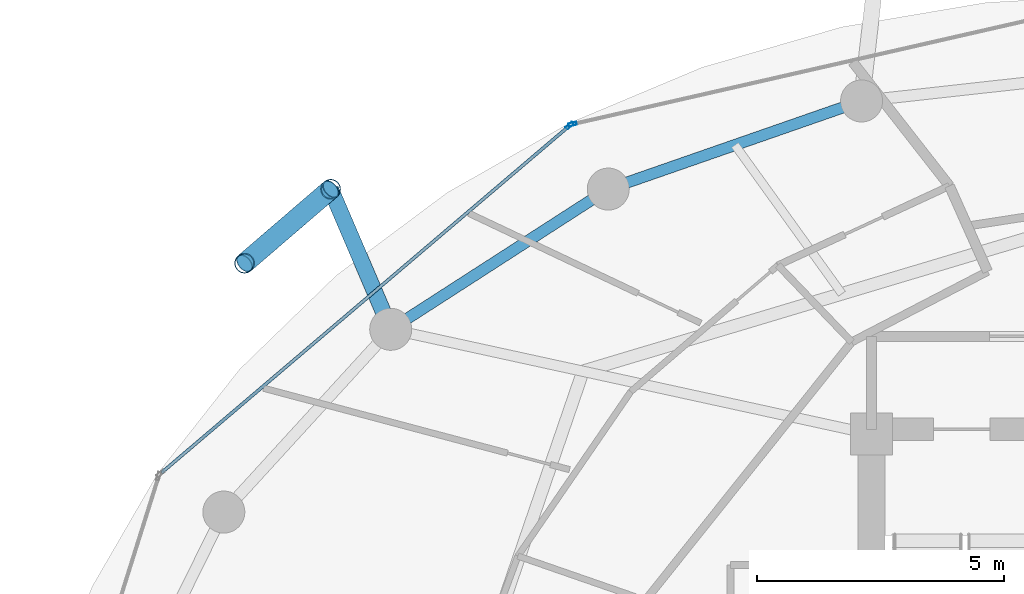
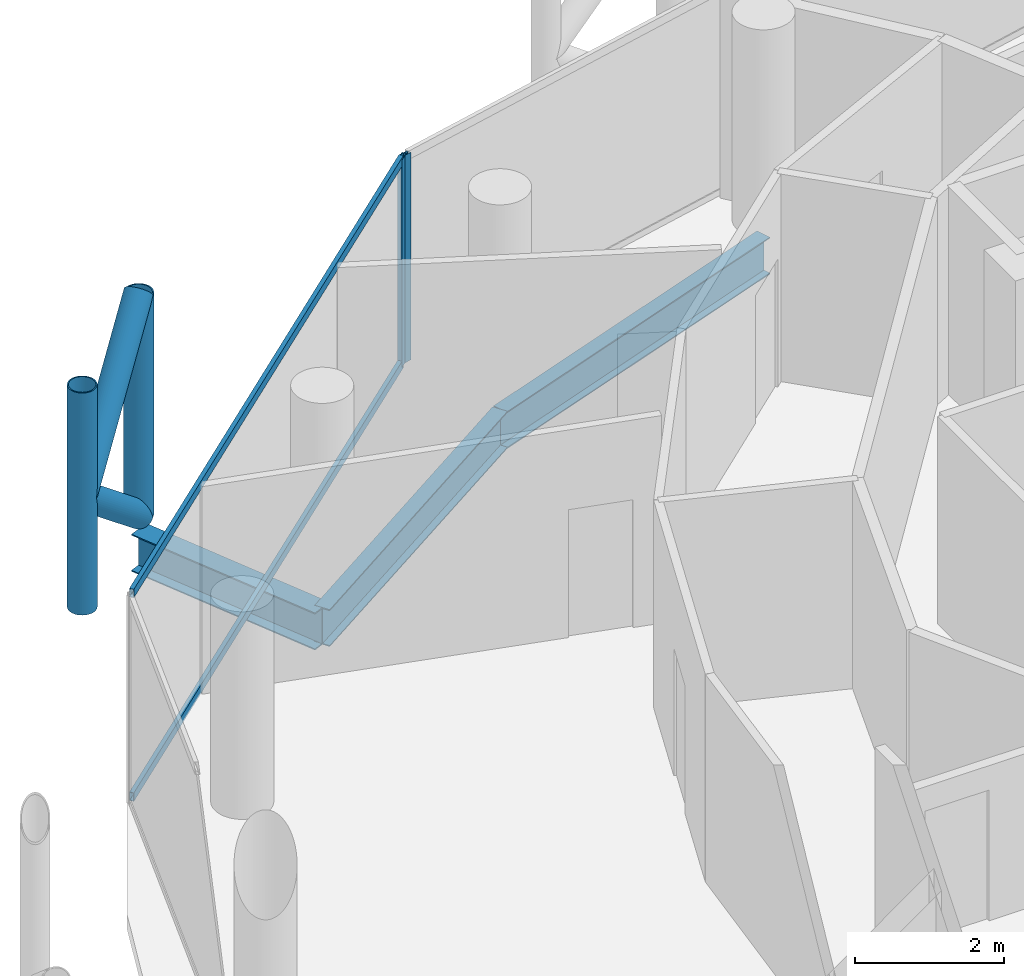
# One storey, part 18 of 28: 8 members, 3 beams, 2 elements without a shape of their own.
"""IFC4 building model written with IfcOpenShell, lengths in metres."""

from ifc_helpers import new_model, si_unit, direction, frame, origin, origin_2d, place, context, subcontext, project, spatial, hollow_rectangle, hollow_circle, i_section, extrude, material, layer, layer_set, material_profile, profile_set, type_object, element, aggregate, save


model = new_model("IFC4")

# Units and contexts
model_context = context("Model", 3, precision=1e-05, world=origin(), true_north=direction((0.0, 1.0)))
body_context = subcontext(model_context, "Body", "Model", "MODEL_VIEW")
ifc_project = project(units=[si_unit("LENGTHUNIT", "METRE"), si_unit("AREAUNIT", "SQUARE_METRE"), si_unit("VOLUMEUNIT", "CUBIC_METRE"), si_unit("PLANEANGLEUNIT", "RADIAN"), si_unit("MASSUNIT", "GRAM", prefix="KILO")], contexts=[model_context])

# Site, building, storey
site_placement = place(None, origin())
site = spatial("IfcSite", under=ifc_project, at=site_placement, CompositionType="ELEMENT")
building_placement = place(site_placement, origin())
building = spatial("IfcBuilding", under=site, at=building_placement, Name="Nuhasar Tower", CompositionType="ELEMENT")
storey_placement = place(building_placement, frame((0.0, 0.0, 222.75)))
storey = spatial("IfcBuildingStorey", under=building, at=storey_placement, Name="L54", CompositionType="ELEMENT", Elevation=222.75)

# Beams
ifc_material_1 = material(Name="Steel S355", Category="steel")
ifc_material_profile_1 = material_profile(ifc_material_1, i_section(OverallWidth=0.22802734375, OverallDepth=0.60791015625, WebThickness=0.01123046875, FlangeThickness=0.017333984375, at=origin_2d()), Name="W24X76")
ifc_profile_set_1 = profile_set([ifc_material_profile_1], Name="Steel S355")
beam_type_1 = type_object("IfcBeamType", Name="BM-RING-W24X76", PredefinedType="SPANDREL", material=ifc_profile_set_1)
beam_1_placement = place(storey_placement, frame((33.5, 44.0419921875, -0.5439453125), z_axis=(-0.944476764686, -0.328578211342, 0.0), x_axis=(0.328578211342, -0.944476764686, 0.0)))
element("IfcBeam", 1, at=beam_1_placement, inside=storey, type_object=beam_type_1, Name="L54 Perimeter Ring Spandrel 08", PredefinedType="SPANDREL", context=body_context, shape_type="SweptSolid", body=[
    extrude(i_section(OverallWidth=0.22802734375, OverallDepth=0.60791015625, WebThickness=0.01123046875, FlangeThickness=0.017333984375, at=origin_2d()), origin(), (0.0, 0.0, 1.0), 5.42626953125),
])
beam_2_placement = place(storey_placement, frame((28.375, 42.259033203125, -0.5439453125), z_axis=(-0.840502144969, -0.541808217272, 0.0), x_axis=(0.541808217272, -0.840502144969, 0.0)))
element("IfcBeam", 2, at=beam_2_placement, inside=storey, type_object=beam_type_1, Name="L54 Perimeter Ring Spandrel 09", PredefinedType="SPANDREL", context=body_context, shape_type="SweptSolid", body=[
    extrude(i_section(OverallWidth=0.22802734375, OverallDepth=0.60791015625, WebThickness=0.01123046875, FlangeThickness=0.017333984375, at=origin_2d()), origin(), (0.0, 0.0, 1.0), 5.236083984375),
])
ifc_material_profile_2 = material_profile(ifc_material_1, i_section(OverallWidth=0.323974609375, OverallDepth=0.611083984375, WebThickness=0.0126953125, FlangeThickness=0.01904296875, at=origin_2d()), Name="W24X104")
ifc_profile_set_2 = profile_set([ifc_material_profile_2], Name="Steel S355")
beam_type_2 = type_object("IfcBeamType", Name="BM-TIE-W24X104", PredefinedType="BEAM", material=ifc_profile_set_2)
beam_3_placement = place(storey_placement, frame((23.97412109375, 39.422119140625, -0.5458984375), z_axis=(-0.393680429682, 0.919247365667, 0.0), x_axis=(-0.919247365667, -0.393680429682, 0.0)))
element("IfcBeam", 3, at=beam_3_placement, inside=storey, type_object=beam_type_2, Name="L54 Exoskeleton Node Tie Beam 05", PredefinedType="BEAM", context=body_context, shape_type="SweptSolid", body=[
    extrude(i_section(OverallWidth=0.323974609375, OverallDepth=0.611083984375, WebThickness=0.0126953125, FlangeThickness=0.01904296875, at=origin_2d()), origin(), (0.0, 0.0, 1.0), 3.083984375),
])

# Curtain wall, member
ifc_material_2 = material(Name="Aluminium 6063-T6", Category="aluminium")
ifc_layer = layer(ifc_material_2, 0.18994140625)
ifc_layer_set = layer_set([ifc_layer], Name="Aluminium 6063-T6")
curtain_wall_type = type_object("IfcCurtainWallType", Name="CW-Z3-RES", PredefinedType="NOTDEFINED", material=ifc_layer_set)
curtain_wall_1_placement = place(storey_placement, origin())
curtain_wall_1 = element("IfcCurtainWall", 4, at=curtain_wall_1_placement, inside=storey, type_object=curtain_wall_type, Name="L54 Unitised Curtain Wall 04", PredefinedType="NOTDEFINED")
ifc_material_profile_3 = material_profile(ifc_material_2, hollow_rectangle(XDim=0.06494140625, YDim=0.169921875, WallThickness=0.0048828125, at=origin_2d()), Name="CWM-4")
ifc_profile_set_3 = profile_set([ifc_material_profile_3], Name="Aluminium 6063-T6")
member_type_1 = type_object("IfcMemberType", Name="CW-MUL-S4", PredefinedType="MULLION", material=ifc_profile_set_3)
member_1_placement = place(storey_placement, frame((27.651611328125, 43.5732421875, 0.0), z_axis=(0.0, 0.0, 1.0), x_axis=(0.222243176313, -0.974991266926, 0.0)))
member_1 = element("IfcMember", 5, at=member_1_placement, type_object=member_type_1, Name="CW-Z3 mullion 2", PredefinedType="MULLION", context=body_context, shape_type="SweptSolid", body=[
    extrude(hollow_rectangle(XDim=0.06494140625, YDim=0.169921875, WallThickness=0.0048828125, at=origin_2d()), origin(), (0.0, 0.0, 1.0), 3.409912109375),
])
aggregate(curtain_wall_1, [member_1])

# Curtain wall, members
curtain_wall_2_placement = place(storey_placement, origin())
curtain_wall_2 = element("IfcCurtainWall", 6, at=curtain_wall_2_placement, inside=storey, type_object=curtain_wall_type, Name="L54 Unitised Curtain Wall 05", PredefinedType="NOTDEFINED")
member_2_placement = place(storey_placement, frame((27.59521484375, 43.544921875, 0.0), z_axis=(0.0, 0.0, 1.0), x_axis=(0.64789521578, -0.761729472562, 0.0)))
member_2 = element("IfcMember", 7, at=member_2_placement, type_object=member_type_1, Name="CW-Z3 mullion 1", PredefinedType="MULLION", context=body_context, shape_type="SweptSolid", body=[
    extrude(hollow_rectangle(XDim=0.06494140625, YDim=0.169921875, WallThickness=0.0048828125, at=origin_2d()), origin(), (0.0, 0.0, 1.0), 3.409912109375),
])
ifc_material_profile_4 = material_profile(ifc_material_2, hollow_rectangle(XDim=0.06494140625, YDim=0.139892578125, WallThickness=0.00439453125, at=origin_2d()), Name="CWT-4")
ifc_profile_set_4 = profile_set([ifc_material_profile_4], Name="Aluminium 6063-T6")
member_type_2 = type_object("IfcMemberType", Name="CW-TRN-S4", PredefinedType="USERDEFINED", material=ifc_profile_set_4)
member_3_placement = place(storey_placement, frame((27.570556640625, 43.52392578125, 0.032470703125), z_axis=(-0.761730809511, -0.647893643928, 0.0), x_axis=(0.647893643928, -0.761730809511, 0.0)))
member_3 = element("IfcMember", 8, at=member_3_placement, type_object=member_type_2, Name="CW-Z3 transom 1.1", ObjectType="TRANSOM", PredefinedType="USERDEFINED", context=body_context, shape_type="SweptSolid", body=[
    extrude(hollow_rectangle(XDim=0.06494140625, YDim=0.139892578125, WallThickness=0.00439453125, at=origin_2d()), origin(), (0.0, 0.0, 1.0), 10.806884765625),
])
member_4_placement = place(storey_placement, frame((27.570556640625, 43.52392578125, 3.37744140625), z_axis=(-0.761730809511, -0.647893643928, 0.0), x_axis=(0.647893643928, -0.761730809511, 0.0)))
member_4 = element("IfcMember", 9, at=member_4_placement, type_object=member_type_2, Name="CW-Z3 transom 1.2", ObjectType="TRANSOM", PredefinedType="USERDEFINED", context=body_context, shape_type="SweptSolid", body=[
    extrude(hollow_rectangle(XDim=0.06494140625, YDim=0.139892578125, WallThickness=0.00439453125, at=origin_2d()), origin(), (0.0, 0.0, 1.0), 10.806884765625),
])
aggregate(curtain_wall_2, [member_2, member_3, member_4])

# Members
ifc_material_3 = material(Name="Steel S460", Category="steel")
ifc_material_profile_5 = material_profile(ifc_material_3, hollow_circle(Radius=0.203125, WallThickness=0.01904296875, at=origin_2d()), Name="HSS406.4X19.1")
ifc_profile_set_5 = profile_set([ifc_material_profile_5], Name="Steel S460")
member_type_3 = type_object("IfcMemberType", Name="EXO-BRONZE-406", PredefinedType="BRACE", material=ifc_profile_set_5)
for number, where, z_axis, x_axis, name in (
    (10, (22.760009765625, 42.257080078125, 0.0), (0.0, 0.0, 1.0), (1.0, 0.0, 0.0), "L54 Exoskeleton Chord Column EC-05A"),
    (11, (21.01611328125, 40.758056640625, 0.0), (0.0, 0.0, 1.0), (1.0, 0.0, 0.0), "L54 Exoskeleton Chord Column EC-05B"),
):
    element("IfcMember", number, at=place(storey_placement, frame(where, z_axis=z_axis, x_axis=x_axis)), inside=storey, type_object=member_type_3, Name=name, PredefinedType="BRACE", context=body_context, shape_type="SweptSolid", body=[
        extrude(hollow_circle(Radius=0.203125, WallThickness=0.01904296875, at=origin_2d()), origin(), (0.0, 0.0, 1.0), 3.64990234375),
    ])
for number, where, z_axis, x_axis, name in (
    (12, (22.760009765625, 42.257080078125, 0.0), (-0.594018535389, -0.510608120858, 0.621627964725), (0.65185738425, -0.758341579104, 0.0), "L54 Bronze Diagrid Brace W1-05"),
    (13, (21.01611328125, 40.758056640625, 1.824951171875), (0.594018535389, 0.510608120858, 0.621627964725), (-0.65185738425, 0.758341579104, 0.0), "L54 Bronze Diagrid Brace W2-05"),
):
    element("IfcMember", number, at=place(storey_placement, frame(where, z_axis=z_axis, x_axis=x_axis)), inside=storey, type_object=member_type_3, Name=name, PredefinedType="BRACE", context=body_context, shape_type="SweptSolid", body=[
        extrude(hollow_circle(Radius=0.203125, WallThickness=0.01904296875, at=origin_2d()), origin(), (0.0, 0.0, 1.0), 2.935791015625),
    ])

save(model, "model.ifc")
